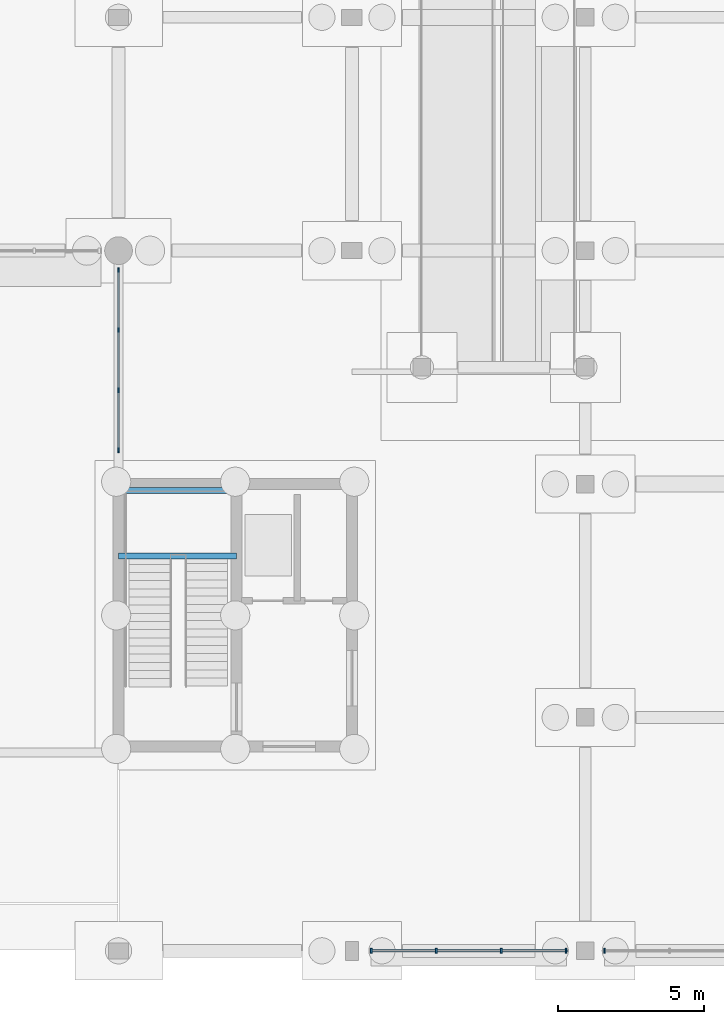
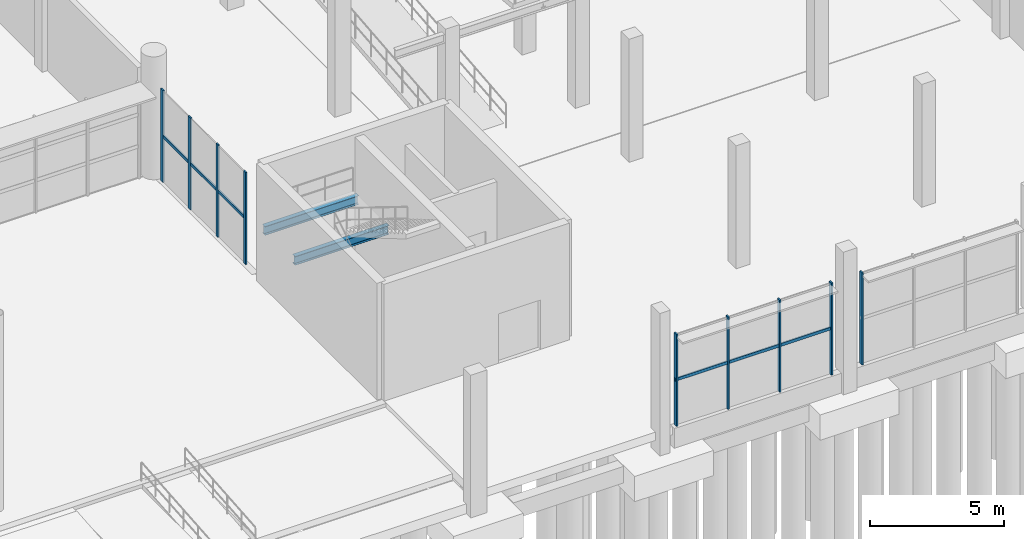
# One storey, part 47 of 98: 11 members, 2 beams, 3 elements without a shape of their own.
"""IFC4 building model written with IfcOpenShell, lengths in metres."""

from ifc_helpers import new_model, si_unit, derived_unit, direction, frame, origin, origin_2d, place, context, subcontext, project, spatial, rectangle, i_section, extrude, material, layer, layer_set, material_profile, profile_set, type_object, element, aggregate, save


model = new_model("IFC4")

# Units and contexts
model_context = context("Model", 3, precision=1e-05, world=origin(), true_north=direction((0.0, 1.0)))
body_context = subcontext(model_context, "Body", "Model", "MODEL_VIEW")
ifc_project = project(units=[si_unit("LENGTHUNIT", "METRE"), si_unit("AREAUNIT", "SQUARE_METRE"), si_unit("VOLUMEUNIT", "CUBIC_METRE"), si_unit("PLANEANGLEUNIT", "RADIAN"), si_unit("MASSUNIT", "GRAM", prefix="KILO"), si_unit("THERMODYNAMICTEMPERATUREUNIT", "KELVIN"), derived_unit("THERMALTRANSMITTANCEUNIT", [(si_unit("POWERUNIT", "WATT"), 1), (si_unit("AREAUNIT", "SQUARE_METRE"), -1), (si_unit("THERMODYNAMICTEMPERATUREUNIT", "KELVIN"), -1)])], contexts=[model_context])

# Site, building, storey
site_placement = place(None, origin())
site = spatial("IfcSite", under=ifc_project, at=site_placement, CompositionType="ELEMENT")
building_placement = place(site_placement, origin())
building = spatial("IfcBuilding", under=site, at=building_placement, Name="Haiyu Intermodal Mobility Hub", CompositionType="ELEMENT")
storey_placement = place(building_placement, origin())
storey = spatial("IfcBuildingStorey", under=building, at=storey_placement, Name="L00", CompositionType="ELEMENT", Elevation=0.0)

# Beams
ifc_material_1 = material(Name="Steel Q355C", Category="steel")
ifc_material_profile_1 = material_profile(ifc_material_1, i_section(OverallWidth=0.199951171875, OverallDepth=0.39990234375, WebThickness=0.008056640625, FlangeThickness=0.012939453125, FilletRadius=0.01611328125, at=origin_2d()), Name="HN400x200x8x13")
ifc_profile_set_1 = profile_set([ifc_material_profile_1], Name="Steel Q355C")
beam_type = type_object("IfcBeamType", Name="BM-SB08", PredefinedType="JOIST", material=ifc_profile_set_1)
for number, where, z_axis, x_axis, name in (
    (1, (154.0, 29.530029296875, 2.375), (1.0, 0.0, 0.0), (0.0, 1.0, 0.0), "Stair Half-Landing Front Beam C8-L00"),
    (2, (154.0, 31.780029296875, 2.375), (1.0, 0.0, 0.0), (0.0, 1.0, 0.0), "Stair Half-Landing Rear Beam C8-L00"),
):
    element("IfcBeam", number, at=place(storey_placement, frame(where, z_axis=z_axis, x_axis=x_axis)), inside=storey, type_object=beam_type, Name=name, PredefinedType="JOIST", context=body_context, shape_type="SweptSolid", body=[
        extrude(i_section(OverallWidth=0.199951171875, OverallDepth=0.39990234375, WebThickness=0.008056640625, FlangeThickness=0.012939453125, FilletRadius=0.01611328125, at=origin_2d()), origin(), (0.0, 0.0, 1.0), 4.050048828125),
    ])

# Curtain wall, members
ifc_material_2 = material(Name="Low-e laminated insulating glass", Category="glass")
ifc_layer = layer(ifc_material_2, 0.2099609375)
ifc_layer_set = layer_set([ifc_layer], Name="Low-e laminated insulating glass")
curtain_wall_type = type_object("IfcCurtainWallType", Name="CW-CW04", PredefinedType="NOTDEFINED", material=ifc_layer_set)
curtain_wall_1_placement = place(storey_placement, origin())
curtain_wall_1 = element("IfcCurtainWall", 3, at=curtain_wall_1_placement, inside=storey, type_object=curtain_wall_type, Name="Curtain Wall CW-V5S-L00-084", PredefinedType="NOTDEFINED")
ifc_material_3 = material(Name="Anodised aluminium 6063-T6", Category="aluminium")
ifc_material_profile_2 = material_profile(ifc_material_3, rectangle(XDim=0.06494140625, YDim=0.1650390625, at=origin_2d()), Name="ALU65x165")
ifc_profile_set_2 = profile_set([ifc_material_profile_2], Name="Anodised aluminium 6063-T6")
member_type_1 = type_object("IfcMemberType", Name="CWM-ML02", PredefinedType="MULLION", material=ifc_profile_set_2)
member_1_placement = place(storey_placement, frame((162.659912109375, 16.0, 0.0), z_axis=(0.0, 0.0, 1.0), x_axis=(1.0, 0.0, 0.0)))
member_1 = element("IfcMember", 4, at=member_1_placement, type_object=member_type_1, Name="CW-V5S-L00-084-ML01", PredefinedType="MULLION", context=body_context, shape_type="SweptSolid", body=[
    extrude(rectangle(XDim=0.06494140625, YDim=0.1650390625, at=origin_2d()), origin(), (0.0, 0.0, 1.0), 4.199951171875),
])
member_2_placement = place(storey_placement, frame((164.886962890625, 16.0, 0.0), z_axis=(0.0, 0.0, 1.0), x_axis=(1.0, 0.0, 0.0)))
member_2 = element("IfcMember", 5, at=member_2_placement, type_object=member_type_1, Name="CW-V5S-L00-084-ML02", PredefinedType="MULLION", context=body_context, shape_type="SweptSolid", body=[
    extrude(rectangle(XDim=0.06494140625, YDim=0.1650390625, at=origin_2d()), origin(), (0.0, 0.0, 1.0), 4.199951171875),
])
member_3_placement = place(storey_placement, frame((167.113037109375, 16.0, 0.0), z_axis=(0.0, 0.0, 1.0), x_axis=(1.0, 0.0, 0.0)))
member_3 = element("IfcMember", 6, at=member_3_placement, type_object=member_type_1, Name="CW-V5S-L00-084-ML03", PredefinedType="MULLION", context=body_context, shape_type="SweptSolid", body=[
    extrude(rectangle(XDim=0.06494140625, YDim=0.1650390625, at=origin_2d()), origin(), (0.0, 0.0, 1.0), 4.199951171875),
])
member_4_placement = place(storey_placement, frame((169.340087890625, 16.0, 0.0), z_axis=(0.0, 0.0, 1.0), x_axis=(1.0, 0.0, 0.0)))
member_4 = element("IfcMember", 7, at=member_4_placement, type_object=member_type_1, Name="CW-V5S-L00-084-ML04", PredefinedType="MULLION", context=body_context, shape_type="SweptSolid", body=[
    extrude(rectangle(XDim=0.06494140625, YDim=0.1650390625, at=origin_2d()), origin(), (0.0, 0.0, 1.0), 4.199951171875),
])

# Curtain wall, member
curtain_wall_2_placement = place(storey_placement, origin())
curtain_wall_2 = element("IfcCurtainWall", 8, at=curtain_wall_2_placement, inside=storey, type_object=curtain_wall_type, Name="Curtain Wall CW-V5S-L00-085", PredefinedType="NOTDEFINED")
member_5_placement = place(storey_placement, frame((170.659912109375, 16.0, 0.0), z_axis=(0.0, 0.0, 1.0), x_axis=(1.0, 0.0, 0.0)))
member_5 = element("IfcMember", 9, at=member_5_placement, type_object=member_type_1, Name="CW-V5S-L00-085-ML01", PredefinedType="MULLION", context=body_context, shape_type="SweptSolid", body=[
    extrude(rectangle(XDim=0.06494140625, YDim=0.1650390625, at=origin_2d()), origin(), (0.0, 0.0, 1.0), 4.199951171875),
])
aggregate(curtain_wall_2, [member_5])

# Curtain wall, members
curtain_wall_3_placement = place(storey_placement, origin())
curtain_wall_3 = element("IfcCurtainWall", 10, at=curtain_wall_3_placement, inside=storey, type_object=curtain_wall_type, Name="Curtain Wall CW-V5W-L00-093", PredefinedType="NOTDEFINED")
member_6_placement = place(storey_placement, frame((154.0, 39.340087890625, 0.0), z_axis=(0.0, 0.0, 1.0), x_axis=(1.0, 0.0, 0.0)))
member_6 = element("IfcMember", 11, at=member_6_placement, type_object=member_type_1, Name="CW-V5W-L00-093-ML01", PredefinedType="MULLION", context=body_context, shape_type="SweptSolid", body=[
    extrude(rectangle(XDim=0.06494140625, YDim=0.1650390625, at=origin_2d()), origin(), (0.0, 0.0, 1.0), 4.199951171875),
])
member_7_placement = place(storey_placement, frame((154.0, 37.280029296875, 0.0), z_axis=(0.0, 0.0, 1.0), x_axis=(1.0, 0.0, 0.0)))
member_7 = element("IfcMember", 12, at=member_7_placement, type_object=member_type_1, Name="CW-V5W-L00-093-ML02", PredefinedType="MULLION", context=body_context, shape_type="SweptSolid", body=[
    extrude(rectangle(XDim=0.06494140625, YDim=0.1650390625, at=origin_2d()), origin(), (0.0, 0.0, 1.0), 4.199951171875),
])
member_8_placement = place(storey_placement, frame((154.0, 35.219970703125, 0.0), z_axis=(0.0, 0.0, 1.0), x_axis=(1.0, 0.0, 0.0)))
member_8 = element("IfcMember", 13, at=member_8_placement, type_object=member_type_1, Name="CW-V5W-L00-093-ML03", PredefinedType="MULLION", context=body_context, shape_type="SweptSolid", body=[
    extrude(rectangle(XDim=0.06494140625, YDim=0.1650390625, at=origin_2d()), origin(), (0.0, 0.0, 1.0), 4.199951171875),
])
member_9_placement = place(storey_placement, frame((154.0, 33.159912109375, 0.0), z_axis=(0.0, 0.0, 1.0), x_axis=(1.0, 0.0, 0.0)))
member_9 = element("IfcMember", 14, at=member_9_placement, type_object=member_type_1, Name="CW-V5W-L00-093-ML04", PredefinedType="MULLION", context=body_context, shape_type="SweptSolid", body=[
    extrude(rectangle(XDim=0.06494140625, YDim=0.1650390625, at=origin_2d()), origin(), (0.0, 0.0, 1.0), 4.199951171875),
])

# Member
ifc_material_profile_3 = material_profile(ifc_material_3, rectangle(XDim=0.06494140625, YDim=0.135009765625, at=origin_2d()), Name="ALU65x135")
ifc_profile_set_3 = profile_set([ifc_material_profile_3], Name="Anodised aluminium 6063-T6")
member_type_2 = type_object("IfcMemberType", Name="CWM-TR02", PredefinedType="USERDEFINED", material=ifc_profile_set_3)
member_10_placement = place(storey_placement, frame((162.6201171875, 16.0, 2.10009765625), z_axis=(1.0, 0.0, 0.0), x_axis=(0.0, 1.0, 0.0)))
member_10 = element("IfcMember", 15, at=member_10_placement, type_object=member_type_2, Name="CW-V5S-L00-084-TR01", ObjectType="TRANSOM", PredefinedType="USERDEFINED", context=body_context, shape_type="SweptSolid", body=[
    extrude(rectangle(XDim=0.06494140625, YDim=0.135009765625, at=origin_2d()), origin(), (0.0, 0.0, 1.0), 6.759765625),
])

aggregate(curtain_wall_1, [member_1, member_2, member_3, member_4, member_10])

member_11_placement = place(storey_placement, frame((154.0, 39.3798828125, 2.10009765625), z_axis=(0.0, -1.0, 0.0), x_axis=(1.0, 0.0, 0.0)))
member_11 = element("IfcMember", 16, at=member_11_placement, type_object=member_type_2, Name="CW-V5W-L00-093-TR01", ObjectType="TRANSOM", PredefinedType="USERDEFINED", context=body_context, shape_type="SweptSolid", body=[
    extrude(rectangle(XDim=0.06494140625, YDim=0.135009765625, at=origin_2d()), origin(), (0.0, 0.0, 1.0), 6.259765625),
])

aggregate(curtain_wall_3, [member_6, member_7, member_8, member_9, member_11])

save(model, "model.ifc")
